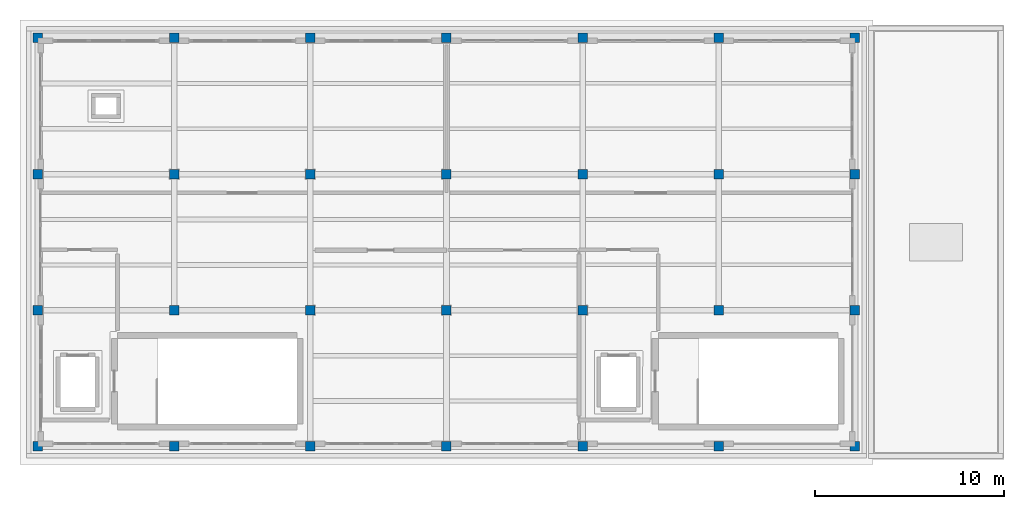
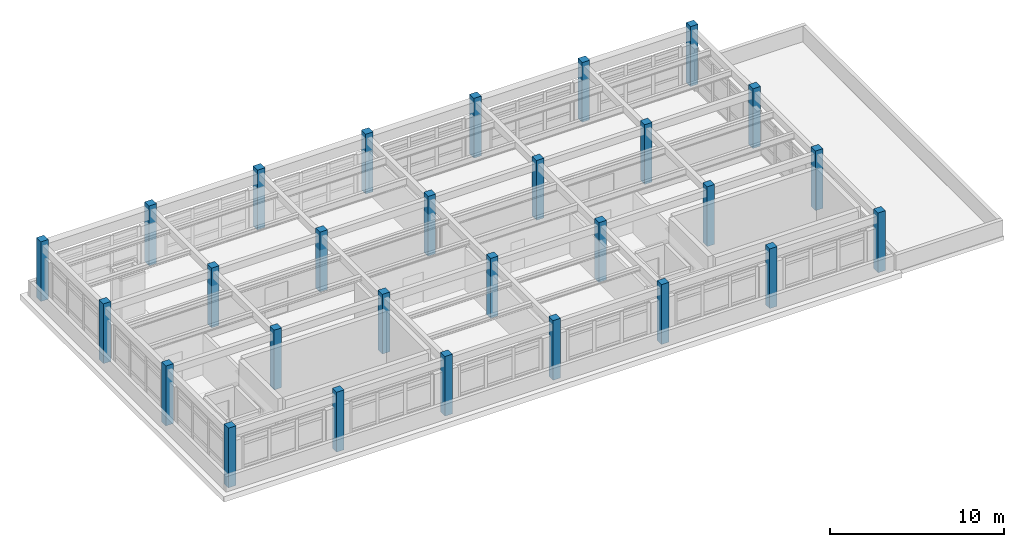
# One storey, part 1 of 12: 28 columns.
"""IFC4 building model written with IfcOpenShell, lengths in metres."""

from ifc_helpers import new_model, si_unit, direction, frame, origin, origin_2d, place, context, subcontext, project, spatial, rectangle, extrude, material, material_profile, profile_set, type_object, element, save


model = new_model("IFC4")

# Units and contexts
model_context = context("Model", 3, precision=1e-05, world=origin(), true_north=direction((0.0, 1.0)))
body_context = subcontext(model_context, "Body", "Model", "MODEL_VIEW")
ifc_project = project(units=[si_unit("LENGTHUNIT", "METRE"), si_unit("AREAUNIT", "SQUARE_METRE"), si_unit("VOLUMEUNIT", "CUBIC_METRE"), si_unit("PLANEANGLEUNIT", "RADIAN"), si_unit("MASSUNIT", "GRAM", prefix="KILO")], contexts=[model_context])

# Site, building, storey
site_placement = place(None, origin())
site = spatial("IfcSite", under=ifc_project, at=site_placement, CompositionType="ELEMENT")
building_placement = place(site_placement, origin())
building = spatial("IfcBuilding", under=site, at=building_placement, Name="Solenvale Faculty of Natural Sciences", CompositionType="ELEMENT")
storey_placement = place(building_placement, frame((0.0, 0.0, 52.199951171875)))
storey = spatial("IfcBuildingStorey", under=building, at=storey_placement, Name="RF", CompositionType="ELEMENT", Elevation=52.199951171875)

# Columns
ifc_material = material(Name="Concrete 40 MPa", Category="concrete")
ifc_material_profile = material_profile(ifc_material, rectangle(XDim=0.5, YDim=0.5, at=origin_2d()), Name="RC-COL-500x500")
ifc_profile_set = profile_set([ifc_material_profile], Name="Concrete 40 MPa")
column_type = type_object("IfcColumnType", Name="COL-RC-500", PredefinedType="COLUMN", material=ifc_profile_set)
for number, where, z_axis, x_axis, name in (
    (1, (100.800048828125, 93.60009765625, 0.0), (0.0, 0.0, 1.0), (1.0, 0.0, 0.0), "RF Column (100.8, 93.6)"),
    (2, (100.800048828125, 100.800048828125, 0.0), (0.0, 0.0, 1.0), (1.0, 0.0, 0.0), "RF Column (100.8, 100.8)"),
    (3, (100.800048828125, 108.0, 0.0), (0.0, 0.0, 1.0), (1.0, 0.0, 0.0), "RF Column (100.8, 108.0)"),
    (4, (100.800048828125, 115.199951171875, 0.0), (0.0, 0.0, 1.0), (1.0, 0.0, 0.0), "RF Column (100.8, 115.2)"),
    (5, (108.0, 93.60009765625, 0.0), (0.0, 0.0, 1.0), (1.0, 0.0, 0.0), "RF Column (108.0, 93.6)"),
    (6, (108.0, 100.800048828125, 0.0), (0.0, 0.0, 1.0), (1.0, 0.0, 0.0), "RF Column (108.0, 100.8)"),
    (7, (108.0, 108.0, 0.0), (0.0, 0.0, 1.0), (1.0, 0.0, 0.0), "RF Column (108.0, 108.0)"),
    (8, (108.0, 115.199951171875, 0.0), (0.0, 0.0, 1.0), (1.0, 0.0, 0.0), "RF Column (108.0, 115.2)"),
    (9, (115.199951171875, 93.60009765625, 0.0), (0.0, 0.0, 1.0), (1.0, 0.0, 0.0), "RF Column (115.2, 93.6)"),
    (10, (115.199951171875, 100.800048828125, 0.0), (0.0, 0.0, 1.0), (1.0, 0.0, 0.0), "RF Column (115.2, 100.8)"),
    (11, (115.199951171875, 108.0, 0.0), (0.0, 0.0, 1.0), (1.0, 0.0, 0.0), "RF Column (115.2, 108.0)"),
    (12, (115.199951171875, 115.199951171875, 0.0), (0.0, 0.0, 1.0), (1.0, 0.0, 0.0), "RF Column (115.2, 115.2)"),
    (13, (122.39990234375, 93.60009765625, 0.0), (0.0, 0.0, 1.0), (1.0, 0.0, 0.0), "RF Column (122.4, 93.6)"),
    (14, (122.39990234375, 100.800048828125, 0.0), (0.0, 0.0, 1.0), (1.0, 0.0, 0.0), "RF Column (122.4, 100.8)"),
    (15, (122.39990234375, 108.0, 0.0), (0.0, 0.0, 1.0), (1.0, 0.0, 0.0), "RF Column (122.4, 108.0)"),
    (16, (122.39990234375, 115.199951171875, 0.0), (0.0, 0.0, 1.0), (1.0, 0.0, 0.0), "RF Column (122.4, 115.2)"),
    (17, (129.60009765625, 93.60009765625, 0.0), (0.0, 0.0, 1.0), (1.0, 0.0, 0.0), "RF Column (129.6, 93.6)"),
    (18, (129.60009765625, 100.800048828125, 0.0), (0.0, 0.0, 1.0), (1.0, 0.0, 0.0), "RF Column (129.6, 100.8)"),
    (19, (129.60009765625, 108.0, 0.0), (0.0, 0.0, 1.0), (1.0, 0.0, 0.0), "RF Column (129.6, 108.0)"),
    (20, (129.60009765625, 115.199951171875, 0.0), (0.0, 0.0, 1.0), (1.0, 0.0, 0.0), "RF Column (129.6, 115.2)"),
    (21, (136.800048828125, 93.60009765625, 0.0), (0.0, 0.0, 1.0), (1.0, 0.0, 0.0), "RF Column (136.8, 93.6)"),
    (22, (136.800048828125, 100.800048828125, 0.0), (0.0, 0.0, 1.0), (1.0, 0.0, 0.0), "RF Column (136.8, 100.8)"),
    (23, (136.800048828125, 108.0, 0.0), (0.0, 0.0, 1.0), (1.0, 0.0, 0.0), "RF Column (136.8, 108.0)"),
    (24, (136.800048828125, 115.199951171875, 0.0), (0.0, 0.0, 1.0), (1.0, 0.0, 0.0), "RF Column (136.8, 115.2)"),
    (25, (144.0, 93.60009765625, 0.0), (0.0, 0.0, 1.0), (1.0, 0.0, 0.0), "RF Column (144.0, 93.6)"),
    (26, (144.0, 100.800048828125, 0.0), (0.0, 0.0, 1.0), (1.0, 0.0, 0.0), "RF Column (144.0, 100.8)"),
    (27, (144.0, 108.0, 0.0), (0.0, 0.0, 1.0), (1.0, 0.0, 0.0), "RF Column (144.0, 108.0)"),
    (28, (144.0, 115.199951171875, 0.0), (0.0, 0.0, 1.0), (1.0, 0.0, 0.0), "RF Column (144.0, 115.2)"),
):
    element("IfcColumn", number, at=place(storey_placement, frame(where, z_axis=z_axis, x_axis=x_axis)), inside=storey, type_object=column_type, Name=name, PredefinedType="COLUMN", context=body_context, shape_type="SweptSolid", body=[
        extrude(rectangle(XDim=0.5, YDim=0.5, at=origin_2d()), origin(), (0.0, 0.0, 1.0), 4.199951171875),
    ])

save(model, "model.ifc")
